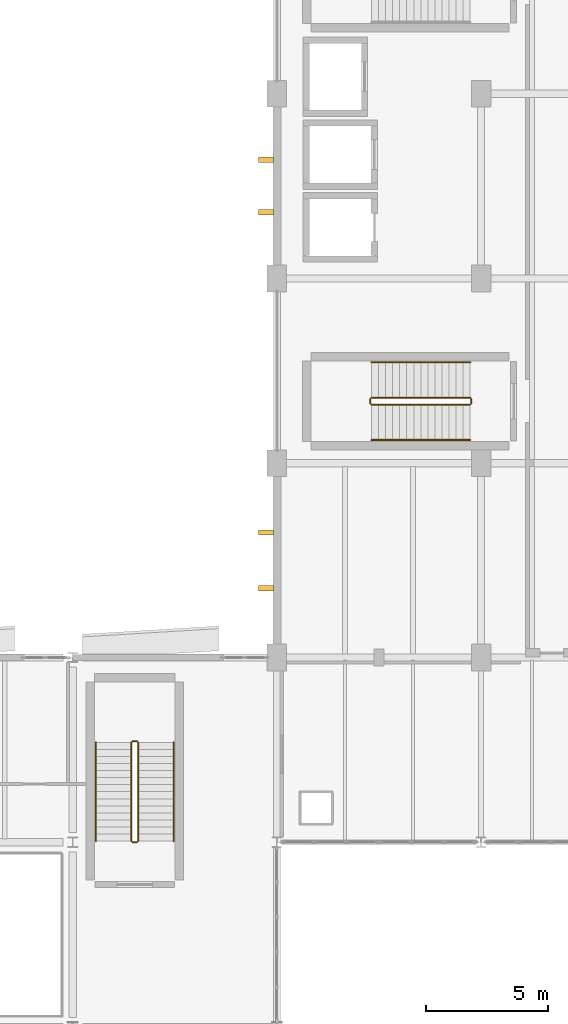
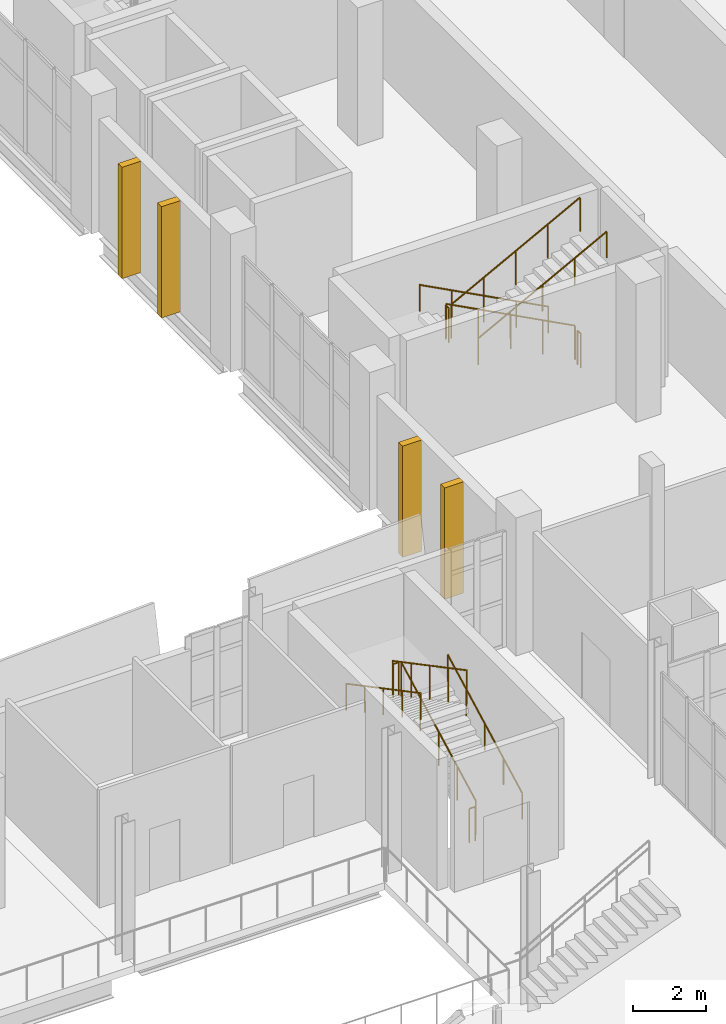
# One storey, part 164 of 172: 12 railings, 4 shading devices.
"""IFC4 building model written with IfcOpenShell, lengths in metres."""

from ifc_helpers import new_model, si_unit, direction, frame, origin, origin_2d, place, context, subcontext, project, spatial, rectangle, circle, extrude, material, layer, layer_set, type_object, element, save


model = new_model("IFC4")

# Units and contexts
model_context = context("Model", 3, precision=1e-05, world=origin(), true_north=direction((0.0, 1.0)))
body_context = subcontext(model_context, "Body", "Model", "MODEL_VIEW")
ifc_project = project(units=[si_unit("LENGTHUNIT", "METRE"), si_unit("AREAUNIT", "SQUARE_METRE"), si_unit("VOLUMEUNIT", "CUBIC_METRE"), si_unit("PLANEANGLEUNIT", "RADIAN"), si_unit("MASSUNIT", "GRAM", prefix="KILO")], contexts=[model_context])

# Site, building, storey
site_placement = place(None, origin())
site = spatial("IfcSite", under=ifc_project, at=site_placement, CompositionType="ELEMENT")
building_placement = place(site_placement, origin())
building = spatial("IfcBuilding", under=site, at=building_placement, Name="Shengluoqiao Park Theatre", CompositionType="ELEMENT")
storey_placement = place(building_placement, frame((0.0, 0.0, 5.39990234375)))
storey = spatial("IfcBuildingStorey", under=building, at=storey_placement, Name="L01", CompositionType="ELEMENT", Elevation=5.39990234375)

# Shading devices
ifc_material_1 = material(Name="Concrete C45", Category="concrete")
ifc_layer = layer(ifc_material_1, 0.219970703125, Name="Concrete C45")
ifc_layer_set = layer_set([ifc_layer], Name="Concrete C45")
shading_device_type = type_object("IfcShadingDeviceType", Name="ENV-FIN-600x220", PredefinedType="USERDEFINED", material=ifc_layer_set)
for number, where, z_axis, x_axis, name in (
    (1, (43.949951171875, 78.851318359375, 0.02001953125), (0.0, 0.0, 1.0), (-1.0, 0.0, 0.0), "L01 Vertical Concrete Acoustic Rib 0025"),
    (2, (43.949951171875, 81.148681640625, 0.02001953125), (0.0, 0.0, 1.0), (-1.0, 0.0, 0.0), "L01 Vertical Concrete Acoustic Rib 0026"),
    (3, (43.949951171875, 94.318115234375, 0.02001953125), (0.0, 0.0, 1.0), (-1.0, 0.0, 0.0), "L01 Vertical Concrete Acoustic Rib 0027"),
    (4, (43.949951171875, 96.48193359375, 0.02001953125), (0.0, 0.0, 1.0), (-1.0, 0.0, 0.0), "L01 Vertical Concrete Acoustic Rib 0028"),
):
    element("IfcShadingDevice", number, at=place(storey_placement, frame(where, z_axis=z_axis, x_axis=x_axis)), inside=storey, type_object=shading_device_type, Name=name, ObjectType="FIN", PredefinedType="USERDEFINED", context=body_context, shape_type="SweptSolid", body=[
        extrude(rectangle(XDim=0.60009765625, YDim=0.219970703125, at=origin_2d()), origin(), (0.0, 0.0, 1.0), 3.7099609375),
    ])

# Railings
ifc_material_2 = material(Name="Painted steel", Category="steel")
railing_type_1 = type_object("IfcRailingType", Name="INT-RL-STGRD", PredefinedType="GUARDRAIL", material=ifc_material_2)
railing_1_placement = place(storey_placement, frame((38.68994140625, 68.449951171875, 0.1533203125)))
element("IfcRailing", 5, at=railing_1_placement, inside=storey, type_object=railing_type_1, Name="L01 ST-01 stair guard 1", PredefinedType="GUARDRAIL", context=body_context, shape_type="SweptSolid", body=[
    extrude(circle(Radius=0.02392578125, at=origin_2d()), frame((0.0, 0.0, 1.1259765625), z_axis=(0.0, 0.884032182968, 0.46742603637), x_axis=(-1.0, 0.0, 0.0)), (0.0, 0.0, 1.0), 4.5927734375),
    extrude(circle(Radius=0.02099609375, at=origin_2d()), origin(), (0.0, 0.0, 1.0), 1.101806640625),
    extrude(circle(Radius=0.02099609375, at=origin_2d()), frame((0.0, 1.01513671875, 0.53662109375)), (0.0, 0.0, 1.0), 1.101806640625),
    extrude(circle(Radius=0.02099609375, at=origin_2d()), frame((0.0, 2.030029296875, 1.0732421875)), (0.0, 0.0, 1.0), 1.101806640625),
    extrude(circle(Radius=0.02099609375, at=origin_2d()), frame((0.0, 3.044921875, 1.610107421875)), (0.0, 0.0, 1.0), 1.101806640625),
    extrude(circle(Radius=0.02099609375, at=origin_2d()), frame((0.0, 4.06005859375, 2.146728515625)), (0.0, 0.0, 1.0), 1.101806640625),
])
railing_2_placement = place(storey_placement, frame((38.639892578125, 72.56005859375, 2.300048828125)))
element("IfcRailing", 6, at=railing_2_placement, inside=storey, type_object=railing_type_1, Name="L01 ST-01 stair guard 2", PredefinedType="GUARDRAIL", context=body_context, shape_type="SweptSolid", body=[
    extrude(circle(Radius=0.02392578125, at=origin_2d()), frame((0.0, 0.0, 1.1259765625), z_axis=(-1.0, 0.0, 0.0), x_axis=(0.0, -1.0, 0.0)), (0.0, 0.0, 1.0), 0.179931640625),
    extrude(circle(Radius=0.02099609375, at=origin_2d()), origin(), (0.0, 0.0, 1.0), 1.101806640625),
    extrude(circle(Radius=0.02099609375, at=origin_2d()), frame((-0.179931640625, 0.0, 0.0)), (0.0, 0.0, 1.0), 1.101806640625),
])
railing_3_placement = place(storey_placement, frame((38.409912109375, 72.510009765625, 2.453369140625)))
element("IfcRailing", 7, at=railing_3_placement, inside=storey, type_object=railing_type_1, Name="L01 ST-01 stair guard 3", PredefinedType="GUARDRAIL", context=body_context, shape_type="SweptSolid", body=[
    extrude(circle(Radius=0.02392578125, at=origin_2d()), frame((0.0, 0.0, 1.1259765625), z_axis=(0.0, -0.884032182968, 0.46742603637), x_axis=(1.0, 0.0, 0.0)), (0.0, 0.0, 1.0), 4.5927734375),
    extrude(circle(Radius=0.02099609375, at=origin_2d()), origin(), (0.0, 0.0, 1.0), 1.101806640625),
    extrude(circle(Radius=0.02099609375, at=origin_2d()), frame((0.0, -1.01513671875, 0.53662109375)), (0.0, 0.0, 1.0), 1.101806640625),
    extrude(circle(Radius=0.02099609375, at=origin_2d()), frame((0.0, -2.030029296875, 1.0732421875)), (0.0, 0.0, 1.0), 1.101806640625),
    extrude(circle(Radius=0.02099609375, at=origin_2d()), frame((0.0, -3.044921875, 1.610107421875)), (0.0, 0.0, 1.0), 1.101806640625),
    extrude(circle(Radius=0.02099609375, at=origin_2d()), frame((0.0, -4.06005859375, 2.146728515625)), (0.0, 0.0, 1.0), 1.101806640625),
])
railing_4_placement = place(storey_placement, frame((38.639892578125, 68.39990234375, 0.0)))
element("IfcRailing", 8, at=railing_4_placement, inside=storey, type_object=railing_type_1, Name="L01 ST-01 stair guard 4", PredefinedType="GUARDRAIL", context=body_context, shape_type="SweptSolid", body=[
    extrude(circle(Radius=0.02392578125, at=origin_2d()), frame((0.0, 0.0, 1.1259765625), z_axis=(-1.0, 0.0, 0.0), x_axis=(0.0, -1.0, 0.0)), (0.0, 0.0, 1.0), 0.179931640625),
    extrude(circle(Radius=0.02099609375, at=origin_2d()), origin(), (0.0, 0.0, 1.0), 1.101806640625),
    extrude(circle(Radius=0.02099609375, at=origin_2d()), frame((-0.179931640625, 0.0, 0.0)), (0.0, 0.0, 1.0), 1.101806640625),
])
railing_5_placement = place(storey_placement, frame((52.35009765625, 86.68994140625, 0.1533203125)))
element("IfcRailing", 9, at=railing_5_placement, inside=storey, type_object=railing_type_1, Name="L01 ST-02 stair guard 1", PredefinedType="GUARDRAIL", context=body_context, shape_type="SweptSolid", body=[
    extrude(circle(Radius=0.02392578125, at=origin_2d()), frame((0.0, 0.0, 1.1259765625), z_axis=(-0.884032182968, 0.0, 0.46742603637), x_axis=(0.0, -1.0, 0.0)), (0.0, 0.0, 1.0), 4.5927734375),
    extrude(circle(Radius=0.02099609375, at=origin_2d()), origin(), (0.0, 0.0, 1.0), 1.101806640625),
    extrude(circle(Radius=0.02099609375, at=origin_2d()), frame((-1.01513671875, 0.0, 0.53662109375)), (0.0, 0.0, 1.0), 1.101806640625),
    extrude(circle(Radius=0.02099609375, at=origin_2d()), frame((-2.030029296875, 0.0, 1.0732421875)), (0.0, 0.0, 1.0), 1.101806640625),
    extrude(circle(Radius=0.02099609375, at=origin_2d()), frame((-3.044921875, 0.0, 1.610107421875)), (0.0, 0.0, 1.0), 1.101806640625),
    extrude(circle(Radius=0.02099609375, at=origin_2d()), frame((-4.06005859375, 0.0, 2.146728515625)), (0.0, 0.0, 1.0), 1.101806640625),
])
railing_6_placement = place(storey_placement, frame((48.239990234375, 86.639892578125, 2.300048828125)))
element("IfcRailing", 10, at=railing_6_placement, inside=storey, type_object=railing_type_1, Name="L01 ST-02 stair guard 2", PredefinedType="GUARDRAIL", context=body_context, shape_type="SweptSolid", body=[
    extrude(circle(Radius=0.02392578125, at=origin_2d()), frame((0.0, 0.0, 1.1259765625), z_axis=(0.0, -1.0, 0.0), x_axis=(1.0, 0.0, 0.0)), (0.0, 0.0, 1.0), 0.179931640625),
    extrude(circle(Radius=0.02099609375, at=origin_2d()), origin(), (0.0, 0.0, 1.0), 1.101806640625),
    extrude(circle(Radius=0.02099609375, at=origin_2d()), frame((0.0, -0.179931640625, 0.0)), (0.0, 0.0, 1.0), 1.101806640625),
])
railing_7_placement = place(storey_placement, frame((48.2900390625, 86.409912109375, 2.453369140625)))
element("IfcRailing", 11, at=railing_7_placement, inside=storey, type_object=railing_type_1, Name="L01 ST-02 stair guard 3", PredefinedType="GUARDRAIL", context=body_context, shape_type="SweptSolid", body=[
    extrude(circle(Radius=0.02392578125, at=origin_2d()), frame((0.0, 0.0, 1.1259765625), z_axis=(0.884032182968, 0.0, 0.46742603637), x_axis=(0.0, 1.0, 0.0)), (0.0, 0.0, 1.0), 4.5927734375),
    extrude(circle(Radius=0.02099609375, at=origin_2d()), origin(), (0.0, 0.0, 1.0), 1.101806640625),
    extrude(circle(Radius=0.02099609375, at=origin_2d()), frame((1.01513671875, 0.0, 0.53662109375)), (0.0, 0.0, 1.0), 1.101806640625),
    extrude(circle(Radius=0.02099609375, at=origin_2d()), frame((2.030029296875, 0.0, 1.0732421875)), (0.0, 0.0, 1.0), 1.101806640625),
    extrude(circle(Radius=0.02099609375, at=origin_2d()), frame((3.044921875, 0.0, 1.610107421875)), (0.0, 0.0, 1.0), 1.101806640625),
    extrude(circle(Radius=0.02099609375, at=origin_2d()), frame((4.06005859375, 0.0, 2.146728515625)), (0.0, 0.0, 1.0), 1.101806640625),
])
railing_8_placement = place(storey_placement, frame((52.39990234375, 86.639892578125, 0.0)))
element("IfcRailing", 12, at=railing_8_placement, inside=storey, type_object=railing_type_1, Name="L01 ST-02 stair guard 4", PredefinedType="GUARDRAIL", context=body_context, shape_type="SweptSolid", body=[
    extrude(circle(Radius=0.02392578125, at=origin_2d()), frame((0.0, 0.0, 1.1259765625), z_axis=(0.0, -1.0, 0.0), x_axis=(1.0, 0.0, 0.0)), (0.0, 0.0, 1.0), 0.179931640625),
    extrude(circle(Radius=0.02099609375, at=origin_2d()), origin(), (0.0, 0.0, 1.0), 1.101806640625),
    extrude(circle(Radius=0.02099609375, at=origin_2d()), frame((0.0, -0.179931640625, 0.0)), (0.0, 0.0, 1.0), 1.101806640625),
])
ifc_material_3 = material(Name="Stainless steel 304", Category="steel")
railing_type_2 = type_object("IfcRailingType", Name="INT-RL-STHR", PredefinedType="HANDRAIL", material=ifc_material_3)
railing_9_placement = place(storey_placement, frame((40.14990234375, 68.449951171875, 0.1533203125)))
element("IfcRailing", 13, at=railing_9_placement, inside=storey, type_object=railing_type_2, Name="L01 ST-01 stair handrail 1", PredefinedType="HANDRAIL", context=body_context, shape_type="SweptSolid", body=[
    extrude(circle(Radius=0.02392578125, at=origin_2d()), frame((0.0, 0.0, 0.8759765625), z_axis=(0.0, 0.884032182968, 0.46742603637), x_axis=(-1.0, 0.0, 0.0)), (0.0, 0.0, 1.0), 4.5927734375),
    extrude(circle(Radius=0.02099609375, at=origin_2d()), origin(), (0.0, 0.0, 1.0), 0.851806640625),
    extrude(circle(Radius=0.02099609375, at=origin_2d()), frame((0.0, 1.01513671875, 0.53662109375)), (0.0, 0.0, 1.0), 0.851806640625),
    extrude(circle(Radius=0.02099609375, at=origin_2d()), frame((0.0, 2.030029296875, 1.0732421875)), (0.0, 0.0, 1.0), 0.851806640625),
    extrude(circle(Radius=0.02099609375, at=origin_2d()), frame((0.0, 3.044921875, 1.610107421875)), (0.0, 0.0, 1.0), 0.851806640625),
    extrude(circle(Radius=0.02099609375, at=origin_2d()), frame((0.0, 4.06005859375, 2.146728515625)), (0.0, 0.0, 1.0), 0.851806640625),
])
railing_10_placement = place(storey_placement, frame((36.949951171875, 72.510009765625, 2.453369140625)))
element("IfcRailing", 14, at=railing_10_placement, inside=storey, type_object=railing_type_2, Name="L01 ST-01 stair handrail 2", PredefinedType="HANDRAIL", context=body_context, shape_type="SweptSolid", body=[
    extrude(circle(Radius=0.02392578125, at=origin_2d()), frame((0.0, 0.0, 0.8759765625), z_axis=(0.0, -0.884032182968, 0.46742603637), x_axis=(1.0, 0.0, 0.0)), (0.0, 0.0, 1.0), 4.5927734375),
    extrude(circle(Radius=0.02099609375, at=origin_2d()), origin(), (0.0, 0.0, 1.0), 0.851806640625),
    extrude(circle(Radius=0.02099609375, at=origin_2d()), frame((0.0, -1.01513671875, 0.53662109375)), (0.0, 0.0, 1.0), 0.851806640625),
    extrude(circle(Radius=0.02099609375, at=origin_2d()), frame((0.0, -2.030029296875, 1.0732421875)), (0.0, 0.0, 1.0), 0.851806640625),
    extrude(circle(Radius=0.02099609375, at=origin_2d()), frame((0.0, -3.044921875, 1.610107421875)), (0.0, 0.0, 1.0), 0.851806640625),
    extrude(circle(Radius=0.02099609375, at=origin_2d()), frame((0.0, -4.06005859375, 2.146728515625)), (0.0, 0.0, 1.0), 0.851806640625),
])
railing_11_placement = place(storey_placement, frame((52.35009765625, 88.14990234375, 0.1533203125)))
element("IfcRailing", 15, at=railing_11_placement, inside=storey, type_object=railing_type_2, Name="L01 ST-02 stair handrail 1", PredefinedType="HANDRAIL", context=body_context, shape_type="SweptSolid", body=[
    extrude(circle(Radius=0.02392578125, at=origin_2d()), frame((0.0, 0.0, 0.8759765625), z_axis=(-0.884032182968, 0.0, 0.46742603637), x_axis=(0.0, -1.0, 0.0)), (0.0, 0.0, 1.0), 4.5927734375),
    extrude(circle(Radius=0.02099609375, at=origin_2d()), origin(), (0.0, 0.0, 1.0), 0.851806640625),
    extrude(circle(Radius=0.02099609375, at=origin_2d()), frame((-1.01513671875, 0.0, 0.53662109375)), (0.0, 0.0, 1.0), 0.851806640625),
    extrude(circle(Radius=0.02099609375, at=origin_2d()), frame((-2.030029296875, 0.0, 1.0732421875)), (0.0, 0.0, 1.0), 0.851806640625),
    extrude(circle(Radius=0.02099609375, at=origin_2d()), frame((-3.044921875, 0.0, 1.610107421875)), (0.0, 0.0, 1.0), 0.851806640625),
    extrude(circle(Radius=0.02099609375, at=origin_2d()), frame((-4.06005859375, 0.0, 2.146728515625)), (0.0, 0.0, 1.0), 0.851806640625),
])
railing_12_placement = place(storey_placement, frame((48.2900390625, 84.949951171875, 2.453369140625)))
element("IfcRailing", 16, at=railing_12_placement, inside=storey, type_object=railing_type_2, Name="L01 ST-02 stair handrail 2", PredefinedType="HANDRAIL", context=body_context, shape_type="SweptSolid", body=[
    extrude(circle(Radius=0.02392578125, at=origin_2d()), frame((0.0, 0.0, 0.8759765625), z_axis=(0.884032182968, 0.0, 0.46742603637), x_axis=(0.0, 1.0, 0.0)), (0.0, 0.0, 1.0), 4.5927734375),
    extrude(circle(Radius=0.02099609375, at=origin_2d()), origin(), (0.0, 0.0, 1.0), 0.851806640625),
    extrude(circle(Radius=0.02099609375, at=origin_2d()), frame((1.01513671875, 0.0, 0.53662109375)), (0.0, 0.0, 1.0), 0.851806640625),
    extrude(circle(Radius=0.02099609375, at=origin_2d()), frame((2.030029296875, 0.0, 1.0732421875)), (0.0, 0.0, 1.0), 0.851806640625),
    extrude(circle(Radius=0.02099609375, at=origin_2d()), frame((3.044921875, 0.0, 1.610107421875)), (0.0, 0.0, 1.0), 0.851806640625),
    extrude(circle(Radius=0.02099609375, at=origin_2d()), frame((4.06005859375, 0.0, 2.146728515625)), (0.0, 0.0, 1.0), 0.851806640625),
])

save(model, "model.ifc")
